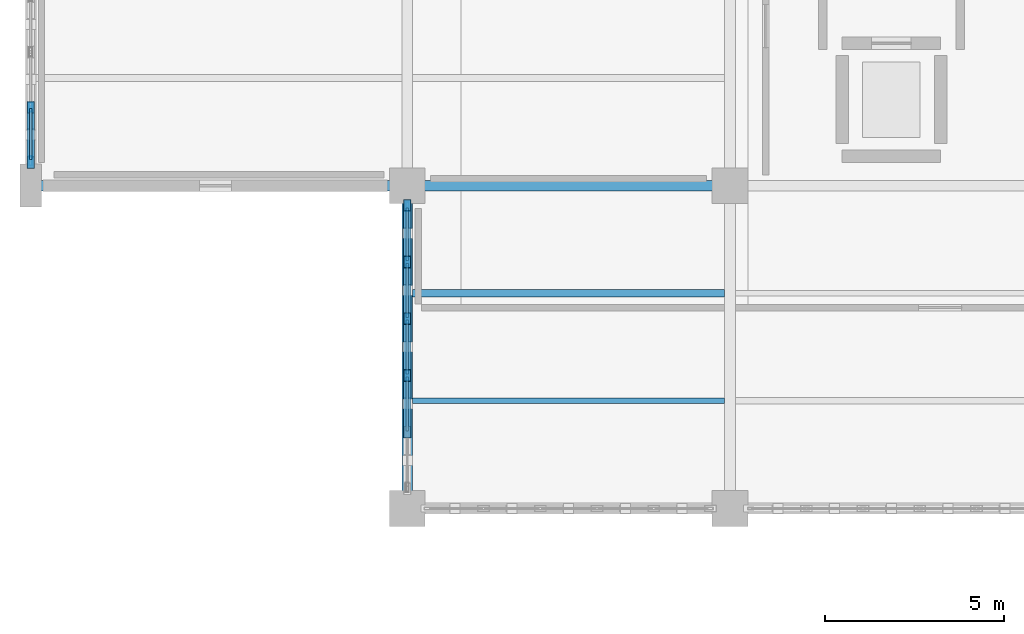
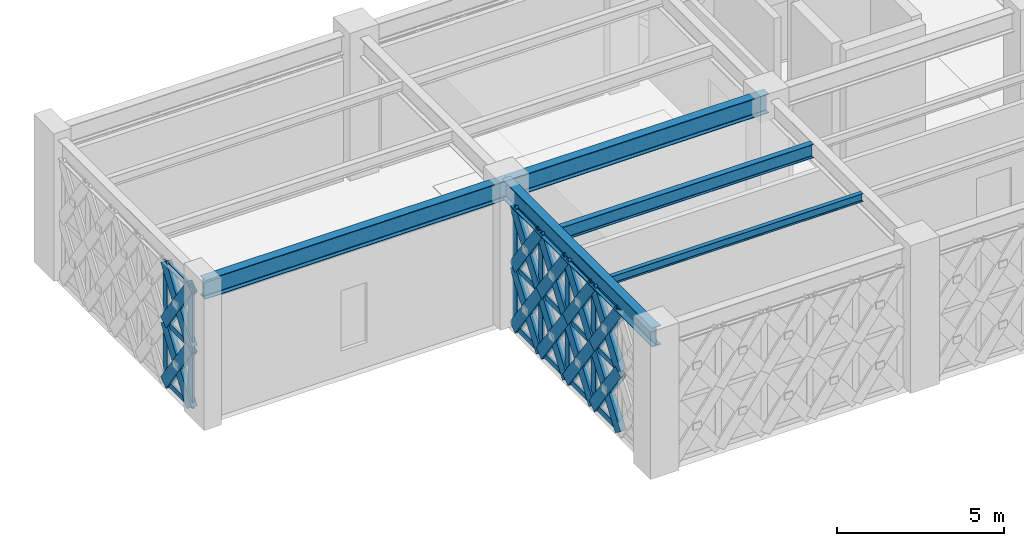
# One storey, part 11 of 140: 51 members, 5 beams, 2 elements without a shape of their own.
"""IFC4 building model written with IfcOpenShell, lengths in metres."""

from ifc_helpers import new_model, si_unit, direction, frame, origin, origin_2d, place, context, subcontext, project, spatial, hollow_rectangle, i_section, extrude, material, material_profile, profile_set, type_object, element, aggregate, save


model = new_model("IFC4")

# Units and contexts
model_context = context("Model", 3, precision=1e-05, world=origin(), true_north=direction((0.0, 1.0)))
body_context = subcontext(model_context, "Body", "Model", "MODEL_VIEW")
ifc_project = project(units=[si_unit("LENGTHUNIT", "METRE"), si_unit("AREAUNIT", "SQUARE_METRE"), si_unit("VOLUMEUNIT", "CUBIC_METRE"), si_unit("PLANEANGLEUNIT", "RADIAN"), si_unit("MASSUNIT", "GRAM", prefix="KILO")], contexts=[model_context])

# Site, building, storey
site_placement = place(None, origin())
site = spatial("IfcSite", under=ifc_project, at=site_placement, CompositionType="ELEMENT")
building_placement = place(site_placement, origin())
building = spatial("IfcBuilding", under=site, at=building_placement, Name="Haizhuo Lancet Aquarium", CompositionType="ELEMENT")
storey_placement = place(building_placement, origin())
storey = spatial("IfcBuildingStorey", under=building, at=storey_placement, Name="L00", CompositionType="ELEMENT", Elevation=0.0)

# Beams
ifc_material_1 = material(Name="Steel S355", Category="steel")
ifc_material_profile_1 = material_profile(ifc_material_1, i_section(OverallWidth=0.300048828125, OverallDepth=0.699951171875, WebThickness=0.012939453125, FlangeThickness=0.02392578125, FilletRadius=0.02587890625, at=origin_2d()), Name="HN 700x300x13x24")
ifc_profile_set_1 = profile_set([ifc_material_profile_1], Name="Steel S355")
beam_type_1 = type_object("IfcBeamType", Name="BM-ST-HN700", PredefinedType="BEAM", material=ifc_profile_set_1)
beam_1_placement = place(storey_placement, frame((-82.5, -18.0, 4.77001953125), z_axis=(1.0, 0.0, 0.0), x_axis=(0.0, 1.0, 0.0)))
element("IfcBeam", 1, at=beam_1_placement, inside=storey, type_object=beam_type_1, Name="L00 V6 primary girder BM-L00-V6-002", PredefinedType="BEAM", context=body_context, shape_type="SweptSolid", body=[
    extrude(i_section(OverallWidth=0.300048828125, OverallDepth=0.699951171875, WebThickness=0.012939453125, FlangeThickness=0.02392578125, FilletRadius=0.02587890625, at=origin_2d()), origin(), (0.0, 0.0, 1.0), 10.5),
])
for number, where, z_axis, x_axis, name in (
    (2, (-72.0, -27.0, 4.77001953125), (0.0, 1.0, 0.0), (-1.0, 0.0, 0.0), "L00 V6 primary girder BM-L00-V6-004"),
    (3, (-72.0, -18.0, 4.77001953125), (1.0, 0.0, 0.0), (0.0, 1.0, 0.0), "L00 V6 primary girder BM-L00-V6-007"),
):
    element("IfcBeam", number, at=place(storey_placement, frame(where, z_axis=z_axis, x_axis=x_axis)), inside=storey, type_object=beam_type_1, Name=name, PredefinedType="BEAM", context=body_context, shape_type="SweptSolid", body=[
        extrude(i_section(OverallWidth=0.300048828125, OverallDepth=0.699951171875, WebThickness=0.012939453125, FlangeThickness=0.02392578125, FilletRadius=0.02587890625, at=origin_2d()), origin(), (0.0, 0.0, 1.0), 9.0),
    ])

# Curtain wall, members
ifc_material_2 = material(Name="Aluminium 6063-T6", Category="aluminium")
curtain_wall_type_1 = type_object("IfcCurtainWallType", Name="CWD-7710x4420", PredefinedType="NOTDEFINED", material=ifc_material_2)
curtain_wall_1_placement = place(storey_placement, origin())
curtain_wall_1 = element("IfcCurtainWall", 4, at=curtain_wall_1_placement, inside=storey, type_object=curtain_wall_type_1, Name="L00 curtain wall CW-V6-L00-192", PredefinedType="NOTDEFINED")
ifc_material_profile_2 = material_profile(ifc_material_2, hollow_rectangle(XDim=0.080078125, YDim=0.260009765625, WallThickness=0.0048828125, at=origin_2d()), Name="ALU-M 80x260x5")
ifc_profile_set_2 = profile_set([ifc_material_profile_2], Name="Aluminium 6063-T6")
member_type_1 = type_object("IfcMemberType", Name="CW-MUL-3", PredefinedType="MULLION", material=ifc_profile_set_2)
member_1_placement = place(storey_placement, frame((-82.5, -17.31494140625, 0.0), z_axis=(0.0, 0.0, 1.0), x_axis=(-1.0, 0.0, 0.0)))
member_1 = element("IfcMember", 5, at=member_1_placement, type_object=member_type_1, Name="CWD-77x44 mullion 1", PredefinedType="MULLION", context=body_context, shape_type="SweptSolid", body=[
    extrude(hollow_rectangle(XDim=0.080078125, YDim=0.260009765625, WallThickness=0.0048828125, at=origin_2d()), origin(), (0.0, 0.0, 1.0), 4.419921875),
])
member_2_placement = place(storey_placement, frame((-82.5, -15.81298828125, 0.0), z_axis=(0.0, 0.0, 1.0), x_axis=(-1.0, 0.0, 0.0)))
member_2 = element("IfcMember", 6, at=member_2_placement, type_object=member_type_1, Name="CWD-77x44 mullion 2", PredefinedType="MULLION", context=body_context, shape_type="SweptSolid", body=[
    extrude(hollow_rectangle(XDim=0.080078125, YDim=0.260009765625, WallThickness=0.0048828125, at=origin_2d()), origin(), (0.0, 0.0, 1.0), 4.419921875),
])

curtain_wall_type_2 = type_object("IfcCurtainWallType", Name="CWD-7910x4420", PredefinedType="NOTDEFINED", material=ifc_material_2)
curtain_wall_2_placement = place(storey_placement, origin())
curtain_wall_2 = element("IfcCurtainWall", 7, at=curtain_wall_2_placement, inside=storey, type_object=curtain_wall_type_2, Name="L00 curtain wall CW-V6-L00-201", PredefinedType="NOTDEFINED")
member_3_placement = place(storey_placement, frame((-72.0, -23.291015625, 0.0), z_axis=(0.0, 0.0, 1.0), x_axis=(-1.0, 0.0, 0.0)))
member_3 = element("IfcMember", 8, at=member_3_placement, type_object=member_type_1, Name="CWD-79x44 mullion 3", PredefinedType="MULLION", context=body_context, shape_type="SweptSolid", body=[
    extrude(hollow_rectangle(XDim=0.080078125, YDim=0.260009765625, WallThickness=0.0048828125, at=origin_2d()), origin(), (0.0, 0.0, 1.0), 4.419921875),
])
member_4_placement = place(storey_placement, frame((-72.0, -21.708984375, 0.0), z_axis=(0.0, 0.0, 1.0), x_axis=(-1.0, 0.0, 0.0)))
member_4 = element("IfcMember", 9, at=member_4_placement, type_object=member_type_1, Name="CWD-79x44 mullion 4", PredefinedType="MULLION", context=body_context, shape_type="SweptSolid", body=[
    extrude(hollow_rectangle(XDim=0.080078125, YDim=0.260009765625, WallThickness=0.0048828125, at=origin_2d()), origin(), (0.0, 0.0, 1.0), 4.419921875),
])
member_5_placement = place(storey_placement, frame((-72.0, -20.126953125, 0.0), z_axis=(0.0, 0.0, 1.0), x_axis=(-1.0, 0.0, 0.0)))
member_5 = element("IfcMember", 10, at=member_5_placement, type_object=member_type_1, Name="CWD-79x44 mullion 5", PredefinedType="MULLION", context=body_context, shape_type="SweptSolid", body=[
    extrude(hollow_rectangle(XDim=0.080078125, YDim=0.260009765625, WallThickness=0.0048828125, at=origin_2d()), origin(), (0.0, 0.0, 1.0), 4.419921875),
])
member_6_placement = place(storey_placement, frame((-72.0, -18.5849609375, 0.0), z_axis=(0.0, 0.0, 1.0), x_axis=(-1.0, 0.0, 0.0)))
member_6 = element("IfcMember", 11, at=member_6_placement, type_object=member_type_1, Name="CWD-79x44 mullion 6", PredefinedType="MULLION", context=body_context, shape_type="SweptSolid", body=[
    extrude(hollow_rectangle(XDim=0.080078125, YDim=0.260009765625, WallThickness=0.0048828125, at=origin_2d()), origin(), (0.0, 0.0, 1.0), 4.419921875),
])

# Member
ifc_material_profile_3 = material_profile(ifc_material_2, hollow_rectangle(XDim=0.080078125, YDim=0.18994140625, WallThickness=0.0048828125, at=origin_2d()), Name="ALU-T 80x190x5")
ifc_profile_set_3 = profile_set([ifc_material_profile_3], Name="Aluminium 6063-T6")
member_type_2 = type_object("IfcMemberType", Name="CW-TRN-3", PredefinedType="NOTDEFINED", material=ifc_profile_set_3)
member_7_placement = place(storey_placement, frame((-82.5, -17.27490234375, 0.0400390625), z_axis=(0.0, 1.0, 0.0), x_axis=(-1.0, 0.0, 0.0)))
member_7 = element("IfcMember", 12, at=member_7_placement, type_object=member_type_2, Name="CWD-77x44 transom 1.1", ObjectType="TRANSOM", PredefinedType="USERDEFINED", context=body_context, shape_type="SweptSolid", body=[
    extrude(hollow_rectangle(XDim=0.080078125, YDim=0.18994140625, WallThickness=0.0048828125, at=origin_2d()), origin(), (0.0, 0.0, 1.0), 1.421875),
])

member_8_placement = place(storey_placement, frame((-82.5, -17.27490234375, 2.2099609375), z_axis=(0.0, 1.0, 0.0), x_axis=(-1.0, 0.0, 0.0)))
member_8 = element("IfcMember", 13, at=member_8_placement, type_object=member_type_2, Name="CWD-77x44 transom 1.2", ObjectType="TRANSOM", PredefinedType="USERDEFINED", context=body_context, shape_type="SweptSolid", body=[
    extrude(hollow_rectangle(XDim=0.080078125, YDim=0.18994140625, WallThickness=0.0048828125, at=origin_2d()), origin(), (0.0, 0.0, 1.0), 1.421875),
])

member_9_placement = place(storey_placement, frame((-82.5, -17.27490234375, 4.3798828125), z_axis=(0.0, 1.0, 0.0), x_axis=(-1.0, 0.0, 0.0)))
member_9 = element("IfcMember", 14, at=member_9_placement, type_object=member_type_2, Name="CWD-77x44 transom 1.3", ObjectType="TRANSOM", PredefinedType="USERDEFINED", context=body_context, shape_type="SweptSolid", body=[
    extrude(hollow_rectangle(XDim=0.080078125, YDim=0.18994140625, WallThickness=0.0048828125, at=origin_2d()), origin(), (0.0, 0.0, 1.0), 1.421875),
])

aggregate(curtain_wall_1, [member_1, member_2, member_7, member_8, member_9])

member_10_placement = place(storey_placement, frame((-72.0, -24.8330078125, 0.0400390625), z_axis=(0.0, 1.0, 0.0), x_axis=(-1.0, 0.0, 0.0)))
member_10 = element("IfcMember", 15, at=member_10_placement, type_object=member_type_2, Name="CWD-79x44 transom 2.1", ObjectType="TRANSOM", PredefinedType="USERDEFINED", context=body_context, shape_type="SweptSolid", body=[
    extrude(hollow_rectangle(XDim=0.080078125, YDim=0.18994140625, WallThickness=0.0048828125, at=origin_2d()), origin(), (0.0, 0.0, 1.0), 1.501953125),
])

member_11_placement = place(storey_placement, frame((-72.0, -24.8330078125, 2.2099609375), z_axis=(0.0, 1.0, 0.0), x_axis=(-1.0, 0.0, 0.0)))
member_11 = element("IfcMember", 16, at=member_11_placement, type_object=member_type_2, Name="CWD-79x44 transom 2.2", ObjectType="TRANSOM", PredefinedType="USERDEFINED", context=body_context, shape_type="SweptSolid", body=[
    extrude(hollow_rectangle(XDim=0.080078125, YDim=0.18994140625, WallThickness=0.0048828125, at=origin_2d()), origin(), (0.0, 0.0, 1.0), 1.501953125),
])

member_12_placement = place(storey_placement, frame((-72.0, -24.8330078125, 4.3798828125), z_axis=(0.0, 1.0, 0.0), x_axis=(-1.0, 0.0, 0.0)))
member_12 = element("IfcMember", 17, at=member_12_placement, type_object=member_type_2, Name="CWD-79x44 transom 2.3", ObjectType="TRANSOM", PredefinedType="USERDEFINED", context=body_context, shape_type="SweptSolid", body=[
    extrude(hollow_rectangle(XDim=0.080078125, YDim=0.18994140625, WallThickness=0.0048828125, at=origin_2d()), origin(), (0.0, 0.0, 1.0), 1.501953125),
])

member_13_placement = place(storey_placement, frame((-72.0, -23.2509765625, 0.0400390625), z_axis=(0.0, 1.0, 0.0), x_axis=(-1.0, 0.0, 0.0)))
member_13 = element("IfcMember", 18, at=member_13_placement, type_object=member_type_2, Name="CWD-79x44 transom 3.1", ObjectType="TRANSOM", PredefinedType="USERDEFINED", context=body_context, shape_type="SweptSolid", body=[
    extrude(hollow_rectangle(XDim=0.080078125, YDim=0.18994140625, WallThickness=0.0048828125, at=origin_2d()), origin(), (0.0, 0.0, 1.0), 1.501953125),
])

member_14_placement = place(storey_placement, frame((-72.0, -23.2509765625, 2.2099609375), z_axis=(0.0, 1.0, 0.0), x_axis=(-1.0, 0.0, 0.0)))
member_14 = element("IfcMember", 19, at=member_14_placement, type_object=member_type_2, Name="CWD-79x44 transom 3.2", ObjectType="TRANSOM", PredefinedType="USERDEFINED", context=body_context, shape_type="SweptSolid", body=[
    extrude(hollow_rectangle(XDim=0.080078125, YDim=0.18994140625, WallThickness=0.0048828125, at=origin_2d()), origin(), (0.0, 0.0, 1.0), 1.501953125),
])

member_15_placement = place(storey_placement, frame((-72.0, -23.2509765625, 4.3798828125), z_axis=(0.0, 1.0, 0.0), x_axis=(-1.0, 0.0, 0.0)))
member_15 = element("IfcMember", 20, at=member_15_placement, type_object=member_type_2, Name="CWD-79x44 transom 3.3", ObjectType="TRANSOM", PredefinedType="USERDEFINED", context=body_context, shape_type="SweptSolid", body=[
    extrude(hollow_rectangle(XDim=0.080078125, YDim=0.18994140625, WallThickness=0.0048828125, at=origin_2d()), origin(), (0.0, 0.0, 1.0), 1.501953125),
])

member_16_placement = place(storey_placement, frame((-72.0, -21.6689453125, 0.0400390625), z_axis=(0.0, 1.0, 0.0), x_axis=(-1.0, 0.0, 0.0)))
member_16 = element("IfcMember", 21, at=member_16_placement, type_object=member_type_2, Name="CWD-79x44 transom 4.1", ObjectType="TRANSOM", PredefinedType="USERDEFINED", context=body_context, shape_type="SweptSolid", body=[
    extrude(hollow_rectangle(XDim=0.080078125, YDim=0.18994140625, WallThickness=0.0048828125, at=origin_2d()), origin(), (0.0, 0.0, 1.0), 1.501953125),
])

member_17_placement = place(storey_placement, frame((-72.0, -21.6689453125, 2.2099609375), z_axis=(0.0, 1.0, 0.0), x_axis=(-1.0, 0.0, 0.0)))
member_17 = element("IfcMember", 22, at=member_17_placement, type_object=member_type_2, Name="CWD-79x44 transom 4.2", ObjectType="TRANSOM", PredefinedType="USERDEFINED", context=body_context, shape_type="SweptSolid", body=[
    extrude(hollow_rectangle(XDim=0.080078125, YDim=0.18994140625, WallThickness=0.0048828125, at=origin_2d()), origin(), (0.0, 0.0, 1.0), 1.501953125),
])

member_18_placement = place(storey_placement, frame((-72.0, -21.6689453125, 4.3798828125), z_axis=(0.0, 1.0, 0.0), x_axis=(-1.0, 0.0, 0.0)))
member_18 = element("IfcMember", 23, at=member_18_placement, type_object=member_type_2, Name="CWD-79x44 transom 4.3", ObjectType="TRANSOM", PredefinedType="USERDEFINED", context=body_context, shape_type="SweptSolid", body=[
    extrude(hollow_rectangle(XDim=0.080078125, YDim=0.18994140625, WallThickness=0.0048828125, at=origin_2d()), origin(), (0.0, 0.0, 1.0), 1.501953125),
])

member_19_placement = place(storey_placement, frame((-72.0, -20.0869140625, 0.0400390625), z_axis=(0.0, 1.0, 0.0), x_axis=(-1.0, 0.0, 0.0)))
member_19 = element("IfcMember", 24, at=member_19_placement, type_object=member_type_2, Name="CWD-79x44 transom 5.1", ObjectType="TRANSOM", PredefinedType="USERDEFINED", context=body_context, shape_type="SweptSolid", body=[
    extrude(hollow_rectangle(XDim=0.080078125, YDim=0.18994140625, WallThickness=0.0048828125, at=origin_2d()), origin(), (0.0, 0.0, 1.0), 1.4619140625),
])

member_20_placement = place(storey_placement, frame((-72.0, -20.0869140625, 2.2099609375), z_axis=(0.0, 1.0, 0.0), x_axis=(-1.0, 0.0, 0.0)))
member_20 = element("IfcMember", 25, at=member_20_placement, type_object=member_type_2, Name="CWD-79x44 transom 5.2", ObjectType="TRANSOM", PredefinedType="USERDEFINED", context=body_context, shape_type="SweptSolid", body=[
    extrude(hollow_rectangle(XDim=0.080078125, YDim=0.18994140625, WallThickness=0.0048828125, at=origin_2d()), origin(), (0.0, 0.0, 1.0), 1.4619140625),
])

member_21_placement = place(storey_placement, frame((-72.0, -20.0869140625, 4.3798828125), z_axis=(0.0, 1.0, 0.0), x_axis=(-1.0, 0.0, 0.0)))
member_21 = element("IfcMember", 26, at=member_21_placement, type_object=member_type_2, Name="CWD-79x44 transom 5.3", ObjectType="TRANSOM", PredefinedType="USERDEFINED", context=body_context, shape_type="SweptSolid", body=[
    extrude(hollow_rectangle(XDim=0.080078125, YDim=0.18994140625, WallThickness=0.0048828125, at=origin_2d()), origin(), (0.0, 0.0, 1.0), 1.4619140625),
])

aggregate(curtain_wall_2, [member_3, member_4, member_5, member_6, member_10, member_11, member_12, member_13, member_14, member_15, member_16, member_17, member_18, member_19, member_20, member_21])

# Beams
ifc_material_profile_4 = material_profile(ifc_material_1, i_section(OverallWidth=0.14990234375, OverallDepth=0.300048828125, WebThickness=0.006591796875, FlangeThickness=0.009033203125, FilletRadius=0.012939453125, at=origin_2d()), Name="HN 300x150x6.5x9")
ifc_profile_set_4 = profile_set([ifc_material_profile_4], Name="Steel S355")
beam_type_2 = type_object("IfcBeamType", Name="JST-ST-HN300", PredefinedType="JOIST", material=ifc_profile_set_4)
beam_2_placement = place(storey_placement, frame((-71.85009765625, -24.0, 4.969970703125), z_axis=(1.0, 0.0, 0.0), x_axis=(0.0, 1.0, 0.0)))
element("IfcBeam", 27, at=beam_2_placement, inside=storey, type_object=beam_type_2, Name="L00 V6 secondary floor joist 3", PredefinedType="JOIST", context=body_context, shape_type="SweptSolid", body=[
    extrude(i_section(OverallWidth=0.14990234375, OverallDepth=0.300048828125, WebThickness=0.006591796875, FlangeThickness=0.009033203125, FilletRadius=0.012939453125, at=origin_2d()), origin(), (0.0, 0.0, 1.0), 8.7001953125),
])
ifc_material_profile_5 = material_profile(ifc_material_1, i_section(OverallWidth=0.199951171875, OverallDepth=0.5, WebThickness=0.010009765625, FlangeThickness=0.01611328125, FilletRadius=0.02001953125, at=origin_2d()), Name="HN 500x200x10x16")
ifc_profile_set_5 = profile_set([ifc_material_profile_5], Name="Steel S355")
beam_type_3 = type_object("IfcBeamType", Name="JST-ST-HN500", PredefinedType="JOIST", material=ifc_profile_set_5)
beam_3_placement = place(storey_placement, frame((-71.85009765625, -21.0, 4.8701171875), z_axis=(1.0, 0.0, 0.0), x_axis=(0.0, 1.0, 0.0)))
element("IfcBeam", 28, at=beam_3_placement, inside=storey, type_object=beam_type_3, Name="L00 V6 secondary floor joist 4", PredefinedType="JOIST", context=body_context, shape_type="SweptSolid", body=[
    extrude(i_section(OverallWidth=0.199951171875, OverallDepth=0.5, WebThickness=0.010009765625, FlangeThickness=0.01611328125, FilletRadius=0.02001953125, at=origin_2d()), origin(), (0.0, 0.0, 1.0), 8.7001953125),
])

# Members
ifc_material_profile_6 = material_profile(ifc_material_1, hollow_rectangle(XDim=0.199951171875, YDim=0.39990234375, WallThickness=0.011962890625, at=origin_2d()), Name="RHS 200x400x12")
ifc_profile_set_6 = profile_set([ifc_material_profile_6], Name="Steel S355")
member_type_3 = type_object("IfcMemberType", Name="MEM-LB-RHS200x400", PredefinedType="BRACE", material=ifc_profile_set_6)
member_22_placement = place(storey_placement, frame((-82.5, -17.35498046875, 0.0), z_axis=(0.0, 0.572221275534, 0.820099269495), x_axis=(-1.0, 0.0, 0.0)))
element("IfcMember", 29, at=member_22_placement, inside=storey, type_object=member_type_3, Name="Gothic lancet continuous diagonal brace CW-V6-L00-192 1A", PredefinedType="BRACE", context=body_context, shape_type="SweptSolid", body=[
    extrude(hollow_rectangle(XDim=0.199951171875, YDim=0.39990234375, WallThickness=0.011962890625, at=origin_2d()), origin(), (0.0, 0.0, 1.0), 2.69482421875),
])
for number, where, z_axis, x_axis, name in (
    (30, (-82.5, -15.81298828125, 0.0), (0.0, -0.572221275534, 0.820099269495), (1.0, 0.0, 0.0), "Gothic lancet split diagonal brace CW-V6-L00-192 1B1"),
    (31, (-82.5, -16.583984375, 1.10498046875), (0.0, -0.572221275534, 0.820099269495), (1.0, 0.0, 0.0), "Gothic lancet split diagonal brace CW-V6-L00-192 1B2"),
):
    element("IfcMember", number, at=place(storey_placement, frame(where, z_axis=z_axis, x_axis=x_axis)), inside=storey, type_object=member_type_3, Name=name, PredefinedType="BRACE", context=body_context, shape_type="SweptSolid", body=[
        extrude(hollow_rectangle(XDim=0.199951171875, YDim=0.39990234375, WallThickness=0.011962890625, at=origin_2d()), origin(), (0.0, 0.0, 1.0), 1.347412109375),
    ])
member_23_placement = place(storey_placement, frame((-82.5, -17.35498046875, 2.2099609375), z_axis=(0.0, 0.572221275534, 0.820099269495), x_axis=(-1.0, 0.0, 0.0)))
element("IfcMember", 32, at=member_23_placement, inside=storey, type_object=member_type_3, Name="Gothic lancet continuous diagonal brace CW-V6-L00-192 2A", PredefinedType="BRACE", context=body_context, shape_type="SweptSolid", body=[
    extrude(hollow_rectangle(XDim=0.199951171875, YDim=0.39990234375, WallThickness=0.011962890625, at=origin_2d()), origin(), (0.0, 0.0, 1.0), 2.69482421875),
])
for number, where, z_axis, x_axis, name in (
    (33, (-82.5, -15.81298828125, 2.2099609375), (0.0, -0.572221275534, 0.820099269495), (1.0, 0.0, 0.0), "Gothic lancet split diagonal brace CW-V6-L00-192 2B1"),
    (34, (-82.5, -16.583984375, 3.31494140625), (0.0, -0.572221275534, 0.820099269495), (1.0, 0.0, 0.0), "Gothic lancet split diagonal brace CW-V6-L00-192 2B2"),
):
    element("IfcMember", number, at=place(storey_placement, frame(where, z_axis=z_axis, x_axis=x_axis)), inside=storey, type_object=member_type_3, Name=name, PredefinedType="BRACE", context=body_context, shape_type="SweptSolid", body=[
        extrude(hollow_rectangle(XDim=0.199951171875, YDim=0.39990234375, WallThickness=0.011962890625, at=origin_2d()), origin(), (0.0, 0.0, 1.0), 1.347412109375),
    ])
member_24_placement = place(storey_placement, frame((-72.0, -24.873046875, 0.0), z_axis=(0.0, 0.582087604305, 0.813126079347), x_axis=(-1.0, 0.0, 0.0)))
element("IfcMember", 35, at=member_24_placement, inside=storey, type_object=member_type_3, Name="Gothic lancet continuous diagonal brace CW-V6-L00-201 3A", PredefinedType="BRACE", context=body_context, shape_type="SweptSolid", body=[
    extrude(hollow_rectangle(XDim=0.199951171875, YDim=0.39990234375, WallThickness=0.011962890625, at=origin_2d()), origin(), (0.0, 0.0, 1.0), 2.7177734375),
])
for number, where, z_axis, x_axis, name in (
    (36, (-72.0, -23.291015625, 0.0), (0.0, -0.582087604305, 0.813126079347), (1.0, 0.0, 0.0), "Gothic lancet split diagonal brace CW-V6-L00-201 3B1"),
    (37, (-72.0, -24.08203125, 1.10498046875), (0.0, -0.582087604305, 0.813126079347), (1.0, 0.0, 0.0), "Gothic lancet split diagonal brace CW-V6-L00-201 3B2"),
):
    element("IfcMember", number, at=place(storey_placement, frame(where, z_axis=z_axis, x_axis=x_axis)), inside=storey, type_object=member_type_3, Name=name, PredefinedType="BRACE", context=body_context, shape_type="SweptSolid", body=[
        extrude(hollow_rectangle(XDim=0.199951171875, YDim=0.39990234375, WallThickness=0.011962890625, at=origin_2d()), origin(), (0.0, 0.0, 1.0), 1.35888671875),
    ])
member_25_placement = place(storey_placement, frame((-72.0, -24.873046875, 2.2099609375), z_axis=(0.0, 0.582087604305, 0.813126079347), x_axis=(-1.0, 0.0, 0.0)))
element("IfcMember", 38, at=member_25_placement, inside=storey, type_object=member_type_3, Name="Gothic lancet continuous diagonal brace CW-V6-L00-201 4A", PredefinedType="BRACE", context=body_context, shape_type="SweptSolid", body=[
    extrude(hollow_rectangle(XDim=0.199951171875, YDim=0.39990234375, WallThickness=0.011962890625, at=origin_2d()), origin(), (0.0, 0.0, 1.0), 2.7177734375),
])
for number, where, z_axis, x_axis, name in (
    (39, (-72.0, -23.291015625, 2.2099609375), (0.0, -0.582087604305, 0.813126079347), (1.0, 0.0, 0.0), "Gothic lancet split diagonal brace CW-V6-L00-201 4B1"),
    (40, (-72.0, -24.08203125, 3.31494140625), (0.0, -0.582087604305, 0.813126079347), (1.0, 0.0, 0.0), "Gothic lancet split diagonal brace CW-V6-L00-201 4B2"),
):
    element("IfcMember", number, at=place(storey_placement, frame(where, z_axis=z_axis, x_axis=x_axis)), inside=storey, type_object=member_type_3, Name=name, PredefinedType="BRACE", context=body_context, shape_type="SweptSolid", body=[
        extrude(hollow_rectangle(XDim=0.199951171875, YDim=0.39990234375, WallThickness=0.011962890625, at=origin_2d()), origin(), (0.0, 0.0, 1.0), 1.35888671875),
    ])
member_26_placement = place(storey_placement, frame((-72.0, -23.291015625, 0.0), z_axis=(0.0, 0.582087604305, 0.813126079347), x_axis=(-1.0, 0.0, 0.0)))
element("IfcMember", 41, at=member_26_placement, inside=storey, type_object=member_type_3, Name="Gothic lancet continuous diagonal brace CW-V6-L00-201 5A", PredefinedType="BRACE", context=body_context, shape_type="SweptSolid", body=[
    extrude(hollow_rectangle(XDim=0.199951171875, YDim=0.39990234375, WallThickness=0.011962890625, at=origin_2d()), origin(), (0.0, 0.0, 1.0), 2.7177734375),
])
for number, where, z_axis, x_axis, name in (
    (42, (-72.0, -21.708984375, 0.0), (0.0, -0.582087604305, 0.813126079347), (1.0, 0.0, 0.0), "Gothic lancet split diagonal brace CW-V6-L00-201 5B1"),
    (43, (-72.0, -22.5, 1.10498046875), (0.0, -0.582087604305, 0.813126079347), (1.0, 0.0, 0.0), "Gothic lancet split diagonal brace CW-V6-L00-201 5B2"),
):
    element("IfcMember", number, at=place(storey_placement, frame(where, z_axis=z_axis, x_axis=x_axis)), inside=storey, type_object=member_type_3, Name=name, PredefinedType="BRACE", context=body_context, shape_type="SweptSolid", body=[
        extrude(hollow_rectangle(XDim=0.199951171875, YDim=0.39990234375, WallThickness=0.011962890625, at=origin_2d()), origin(), (0.0, 0.0, 1.0), 1.35888671875),
    ])
member_27_placement = place(storey_placement, frame((-72.0, -23.291015625, 2.2099609375), z_axis=(0.0, 0.582087604305, 0.813126079347), x_axis=(-1.0, 0.0, 0.0)))
element("IfcMember", 44, at=member_27_placement, inside=storey, type_object=member_type_3, Name="Gothic lancet continuous diagonal brace CW-V6-L00-201 6A", PredefinedType="BRACE", context=body_context, shape_type="SweptSolid", body=[
    extrude(hollow_rectangle(XDim=0.199951171875, YDim=0.39990234375, WallThickness=0.011962890625, at=origin_2d()), origin(), (0.0, 0.0, 1.0), 2.7177734375),
])
for number, where, z_axis, x_axis, name in (
    (45, (-72.0, -21.708984375, 2.2099609375), (0.0, -0.582087604305, 0.813126079347), (1.0, 0.0, 0.0), "Gothic lancet split diagonal brace CW-V6-L00-201 6B1"),
    (46, (-72.0, -22.5, 3.31494140625), (0.0, -0.582087604305, 0.813126079347), (1.0, 0.0, 0.0), "Gothic lancet split diagonal brace CW-V6-L00-201 6B2"),
):
    element("IfcMember", number, at=place(storey_placement, frame(where, z_axis=z_axis, x_axis=x_axis)), inside=storey, type_object=member_type_3, Name=name, PredefinedType="BRACE", context=body_context, shape_type="SweptSolid", body=[
        extrude(hollow_rectangle(XDim=0.199951171875, YDim=0.39990234375, WallThickness=0.011962890625, at=origin_2d()), origin(), (0.0, 0.0, 1.0), 1.35888671875),
    ])
member_28_placement = place(storey_placement, frame((-72.0, -21.708984375, 0.0), z_axis=(0.0, 0.582087604305, 0.813126079347), x_axis=(-1.0, 0.0, 0.0)))
element("IfcMember", 47, at=member_28_placement, inside=storey, type_object=member_type_3, Name="Gothic lancet continuous diagonal brace CW-V6-L00-201 7A", PredefinedType="BRACE", context=body_context, shape_type="SweptSolid", body=[
    extrude(hollow_rectangle(XDim=0.199951171875, YDim=0.39990234375, WallThickness=0.011962890625, at=origin_2d()), origin(), (0.0, 0.0, 1.0), 2.7177734375),
])
for number, where, z_axis, x_axis, name in (
    (48, (-72.0, -20.126953125, 0.0), (0.0, -0.582087604305, 0.813126079347), (1.0, 0.0, 0.0), "Gothic lancet split diagonal brace CW-V6-L00-201 7B1"),
    (49, (-72.0, -20.91796875, 1.10498046875), (0.0, -0.582087604305, 0.813126079347), (1.0, 0.0, 0.0), "Gothic lancet split diagonal brace CW-V6-L00-201 7B2"),
):
    element("IfcMember", number, at=place(storey_placement, frame(where, z_axis=z_axis, x_axis=x_axis)), inside=storey, type_object=member_type_3, Name=name, PredefinedType="BRACE", context=body_context, shape_type="SweptSolid", body=[
        extrude(hollow_rectangle(XDim=0.199951171875, YDim=0.39990234375, WallThickness=0.011962890625, at=origin_2d()), origin(), (0.0, 0.0, 1.0), 1.35888671875),
    ])
member_29_placement = place(storey_placement, frame((-72.0, -21.708984375, 2.2099609375), z_axis=(0.0, 0.582087604305, 0.813126079347), x_axis=(-1.0, 0.0, 0.0)))
element("IfcMember", 50, at=member_29_placement, inside=storey, type_object=member_type_3, Name="Gothic lancet continuous diagonal brace CW-V6-L00-201 8A", PredefinedType="BRACE", context=body_context, shape_type="SweptSolid", body=[
    extrude(hollow_rectangle(XDim=0.199951171875, YDim=0.39990234375, WallThickness=0.011962890625, at=origin_2d()), origin(), (0.0, 0.0, 1.0), 2.7177734375),
])
for number, where, z_axis, x_axis, name in (
    (51, (-72.0, -20.126953125, 2.2099609375), (0.0, -0.582087604305, 0.813126079347), (1.0, 0.0, 0.0), "Gothic lancet split diagonal brace CW-V6-L00-201 8B1"),
    (52, (-72.0, -20.91796875, 3.31494140625), (0.0, -0.582087604305, 0.813126079347), (1.0, 0.0, 0.0), "Gothic lancet split diagonal brace CW-V6-L00-201 8B2"),
):
    element("IfcMember", number, at=place(storey_placement, frame(where, z_axis=z_axis, x_axis=x_axis)), inside=storey, type_object=member_type_3, Name=name, PredefinedType="BRACE", context=body_context, shape_type="SweptSolid", body=[
        extrude(hollow_rectangle(XDim=0.199951171875, YDim=0.39990234375, WallThickness=0.011962890625, at=origin_2d()), origin(), (0.0, 0.0, 1.0), 1.35888671875),
    ])
member_30_placement = place(storey_placement, frame((-72.0, -20.126953125, 0.0), z_axis=(0.0, 0.582087604305, 0.813126079347), x_axis=(-1.0, 0.0, 0.0)))
element("IfcMember", 53, at=member_30_placement, inside=storey, type_object=member_type_3, Name="Gothic lancet continuous diagonal brace CW-V6-L00-201 9A", PredefinedType="BRACE", context=body_context, shape_type="SweptSolid", body=[
    extrude(hollow_rectangle(XDim=0.199951171875, YDim=0.39990234375, WallThickness=0.011962890625, at=origin_2d()), origin(), (0.0, 0.0, 1.0), 2.7177734375),
])
for number, where, z_axis, x_axis, name in (
    (54, (-72.0, -18.544921875, 0.0), (0.0, -0.582087604305, 0.813126079347), (1.0, 0.0, 0.0), "Gothic lancet split diagonal brace CW-V6-L00-201 9B1"),
    (55, (-72.0, -19.3359375, 1.10498046875), (0.0, -0.582087604305, 0.813126079347), (1.0, 0.0, 0.0), "Gothic lancet split diagonal brace CW-V6-L00-201 9B2"),
):
    element("IfcMember", number, at=place(storey_placement, frame(where, z_axis=z_axis, x_axis=x_axis)), inside=storey, type_object=member_type_3, Name=name, PredefinedType="BRACE", context=body_context, shape_type="SweptSolid", body=[
        extrude(hollow_rectangle(XDim=0.199951171875, YDim=0.39990234375, WallThickness=0.011962890625, at=origin_2d()), origin(), (0.0, 0.0, 1.0), 1.35888671875),
    ])
member_31_placement = place(storey_placement, frame((-72.0, -20.126953125, 2.2099609375), z_axis=(0.0, 0.582087604305, 0.813126079347), x_axis=(-1.0, 0.0, 0.0)))
element("IfcMember", 56, at=member_31_placement, inside=storey, type_object=member_type_3, Name="Gothic lancet continuous diagonal brace CW-V6-L00-201 10A", PredefinedType="BRACE", context=body_context, shape_type="SweptSolid", body=[
    extrude(hollow_rectangle(XDim=0.199951171875, YDim=0.39990234375, WallThickness=0.011962890625, at=origin_2d()), origin(), (0.0, 0.0, 1.0), 2.7177734375),
])
for number, where, z_axis, x_axis, name in (
    (57, (-72.0, -18.544921875, 2.2099609375), (0.0, -0.582087604305, 0.813126079347), (1.0, 0.0, 0.0), "Gothic lancet split diagonal brace CW-V6-L00-201 10B1"),
    (58, (-72.0, -19.3359375, 3.31494140625), (0.0, -0.582087604305, 0.813126079347), (1.0, 0.0, 0.0), "Gothic lancet split diagonal brace CW-V6-L00-201 10B2"),
):
    element("IfcMember", number, at=place(storey_placement, frame(where, z_axis=z_axis, x_axis=x_axis)), inside=storey, type_object=member_type_3, Name=name, PredefinedType="BRACE", context=body_context, shape_type="SweptSolid", body=[
        extrude(hollow_rectangle(XDim=0.199951171875, YDim=0.39990234375, WallThickness=0.011962890625, at=origin_2d()), origin(), (0.0, 0.0, 1.0), 1.35888671875),
    ])

save(model, "model.ifc")
